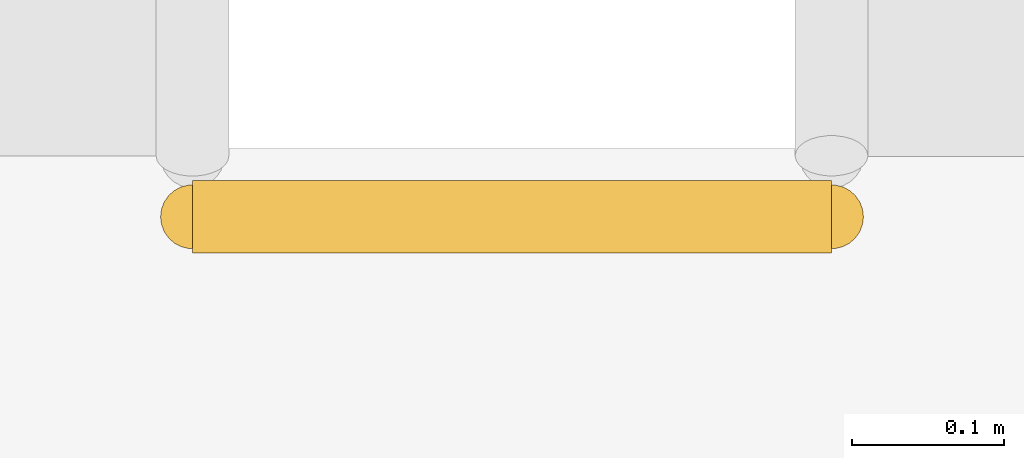
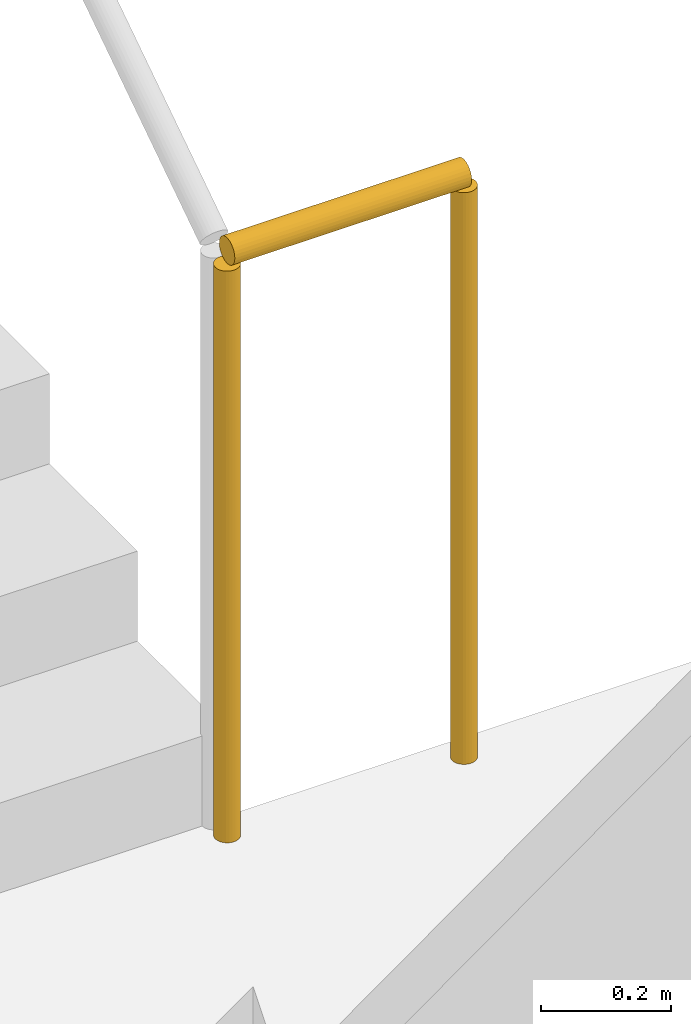
# One storey, part 82 of 85: 1 railing.
"""IFC4 building model written with IfcOpenShell, lengths in metres."""

import ifcopenshell
import ifcopenshell.guid

model = None  # the IFC model being written
_history = None  # IfcOwnerHistory: only IFC2X3 demands one
_inside = {}  # id of a spatial element -> (the spatial element, [elements in it])
_under = {}  # id of a project, library or spatial element -> (it, [spatial elements below it])
_declared = {}  # id of a project -> (the project, [libraries it declares])
_typed = {}  # id of a type object -> (the type object, [elements of that type])
_made_of = {}  # id of a material, layer set ... -> (it, [elements and type objects made of it])


def new_model(schema):
    """Start an empty IFC model of exactly this schema.

    Asked for "IFC4X3", IfcOpenShell would pick the latest addendum, in which some entities
    have other attributes; the version numbers below select the first issue.
    IFC2X3 requires an IfcOwnerHistory on every rooted entity: one is made here for all.
    """
    global model, _history
    if schema == "IFC4X3":
        model = ifcopenshell.file(schema_version=(4, 3, 0, 0))
    else:
        model = ifcopenshell.file(schema=schema)
    _inside.clear()
    _under.clear()
    _declared.clear()
    _typed.clear()
    _made_of.clear()
    _history = None
    if model.schema == "IFC2X3":
        org = make("IfcOrganization", Name="unknown")
        user = make(
            "IfcPersonAndOrganization",
            ThePerson=make("IfcPerson", FamilyName="unknown"),
            TheOrganization=org,
        )
        app = make(
            "IfcApplication",
            ApplicationDeveloper=org,
            Version="unknown",
            ApplicationFullName="unknown",
            ApplicationIdentifier="unknown",
        )
        _history = make(
            "IfcOwnerHistory",
            OwningUser=user,
            OwningApplication=app,
            ChangeAction="ADDED",
            CreationDate=0,
        )
    return model


def make(cls, **values):
    """One entity of the class cls with the attributes given. An attribute that is None is left unset."""
    return model.create_entity(
        cls, **{name: value for name, value in values.items() if value is not None}
    )


def rooted(cls, **values):
    """An entity with a GlobalId (a new one), such as an element, a storey or a relation."""
    return make(cls, GlobalId=ifcopenshell.guid.new(), OwnerHistory=_history, **values)


def si_unit(unit_type, name, prefix=None):
    """IfcSIUnit, for example si_unit("LENGTHUNIT", "METRE", prefix="MILLI")."""
    return make("IfcSIUnit", UnitType=unit_type, Prefix=prefix, Name=name)


def assignment(units):
    """IfcUnitAssignment: the units of a project."""
    return None if units is None else make("IfcUnitAssignment", Units=units)


def point(xyz):
    """IfcCartesianPoint."""
    return None if xyz is None else make("IfcCartesianPoint", Coordinates=xyz)


def direction(xyz):
    """IfcDirection."""
    return None if xyz is None else make("IfcDirection", DirectionRatios=xyz)


def frame(location, z_axis=None, x_axis=None):
    """IfcAxis2Placement3D, a coordinate frame: its origin and axes. An axis left out is left unset."""
    return make(
        "IfcAxis2Placement3D",
        Location=point(location),
        Axis=direction(z_axis),
        RefDirection=direction(x_axis),
    )


def frame_2d(location, x_axis=None):
    """IfcAxis2Placement2D, a coordinate frame in the plane: its origin and x axis."""
    return make(
        "IfcAxis2Placement2D", Location=point(location), RefDirection=direction(x_axis)
    )


def origin():
    """The frame at (0, 0, 0) with its axes left unset."""
    return frame((0.0, 0.0, 0.0))


def origin_2d():
    """The frame at (0, 0) in the plane with its x axis left unset."""
    return frame_2d((0.0, 0.0))


def place(relative_to, where):
    """IfcLocalPlacement: puts the frame where relative to a parent placement (None: the world)."""
    return make(
        "IfcLocalPlacement", PlacementRelTo=relative_to, RelativePlacement=where
    )


def context(
    kind, dimensions, precision=None, world=None, true_north=None, identifier=None
):
    """IfcGeometricRepresentationContext, for example the 3D "Model" context."""
    return make(
        "IfcGeometricRepresentationContext",
        ContextIdentifier=identifier,
        ContextType=kind,
        CoordinateSpaceDimension=dimensions,
        Precision=precision,
        WorldCoordinateSystem=world,
        TrueNorth=true_north,
    )


def subcontext(parent, identifier, kind, view, scale=None):
    """IfcGeometricRepresentationSubContext, for example "Body" below "Model"."""
    return make(
        "IfcGeometricRepresentationSubContext",
        ContextIdentifier=identifier,
        ContextType=kind,
        ParentContext=parent,
        TargetScale=scale,
        TargetView=view,
    )


def project(units=None, contexts=None):
    """IfcProject with its units and contexts."""
    return rooted(
        "IfcProject",
        Name="project",
        RepresentationContexts=contexts,
        UnitsInContext=assignment(units),
    )


def spatial(cls, under=None, at=None, **own):
    """A site, building, storey or space (cls), placed at a placement, below another one or the project."""
    s = rooted(cls, ObjectPlacement=at, **own)
    if under is not None:
        _under.setdefault(under.id(), (under, []))[1].append(s)
    return s


def profile(cls, at=None, kind="AREA", **sizes):
    """A parametric profile (cls). Its sizes go by their IFC names, for example OverallWidth=200.0."""
    return make(cls, ProfileType=kind, Position=at, **sizes)


def circle(**sizes):
    """IfcCircleProfileDef."""
    return profile("IfcCircleProfileDef", **sizes)


def extrude(swept, where, along, depth):
    """IfcExtrudedAreaSolid: the profile swept, set in the frame where, extruded along a direction by depth."""
    return make(
        "IfcExtrudedAreaSolid",
        SweptArea=swept,
        Position=where,
        ExtrudedDirection=direction(along),
        Depth=depth,
    )


def shape(context_of_items, identifier, shape_type, items):
    """IfcShapeRepresentation: the items that make up one representation, for example the "Body"."""
    return make(
        "IfcShapeRepresentation",
        ContextOfItems=context_of_items,
        RepresentationIdentifier=identifier,
        RepresentationType=shape_type,
        Items=items,
    )


def material(Name=None, Category=None):
    """IfcMaterial."""
    return make("IfcMaterial", Name=Name, Category=Category)


def made_of(thing, what):
    """Note that an element or type object is made of a material, layer set ...; save() writes the relation."""
    if what is not None:
        _made_of.setdefault(what.id(), (what, []))[1].append(thing)
    return thing


def type_object(cls, material=None, **own):
    """A type object (cls), such as IfcWallType, which elements share."""
    return made_of(rooted(cls, **own), material)


def element(
    cls,
    number,
    at=None,
    inside=None,
    cuts=None,
    type_object=None,
    material=None,
    context=None,
    identifier="Body",
    shape_type=None,
    held_by="IfcProductDefinitionShape",
    body=None,
    shapes=None,
    **own,
):
    """One element of the class cls, such as IfcWall. Its Tag is "e" and its number.

    at: its placement. inside: the storey or other place that contains it. cuts: it is an
    opening in that element (IfcRelVoidsElement). A single representation is given by context,
    identifier, shape_type and body (its items); several are given by shapes. held_by: the class
    of the entity that holds the representations. save() writes the other relations.
    """
    e = rooted(cls, Tag="e%d" % number, ObjectPlacement=at, **own)
    if body is not None:
        shapes = [shape(context, identifier, shape_type, body)]
    if shapes is not None:
        e.Representation = make(held_by, Representations=shapes)
    if inside is not None:
        _inside.setdefault(inside.id(), (inside, []))[1].append(e)
    if cuts is not None:
        rooted(
            "IfcRelVoidsElement", RelatingBuildingElement=cuts, RelatedOpeningElement=e
        )
    if type_object is not None:
        _typed.setdefault(type_object.id(), (type_object, []))[1].append(e)
    return made_of(e, material)


def aggregate(whole, parts):
    """IfcRelAggregates: a whole, such as a stair, and the parts it consists of."""
    return rooted("IfcRelAggregates", RelatingObject=whole, RelatedObjects=parts)


def save(model, path):
    """Write the relations noted so far, then the file.

    IfcRelAggregates (storeys below a building ...), IfcRelContainedInSpatialStructure (elements
    in a storey), IfcRelDefinesByType, IfcRelAssociatesMaterial and IfcRelDeclares: one each for
    every whole, place, type object, material and project.
    """
    for whole, parts in _under.values():
        aggregate(whole, parts)
    for where, things in _inside.values():
        rooted(
            "IfcRelContainedInSpatialStructure",
            RelatedElements=things,
            RelatingStructure=where,
        )
    for kind, things in _typed.values():
        rooted("IfcRelDefinesByType", RelatedObjects=things, RelatingType=kind)
    for what, things in _made_of.values():
        rooted("IfcRelAssociatesMaterial", RelatedObjects=things, RelatingMaterial=what)
    for by, libraries in _declared.values():
        rooted("IfcRelDeclares", RelatingContext=by, RelatedDefinitions=libraries)
    model.write(path)


model = new_model("IFC4")

# Units and contexts
model_context = context("Model", 3, precision=1e-05, world=origin(), true_north=direction((0.0, 1.0)))
body_context = subcontext(model_context, "Body", "Model", "MODEL_VIEW")
ifc_project = project(units=[si_unit("LENGTHUNIT", "METRE"), si_unit("AREAUNIT", "SQUARE_METRE"), si_unit("VOLUMEUNIT", "CUBIC_METRE"), si_unit("PLANEANGLEUNIT", "RADIAN"), si_unit("MASSUNIT", "GRAM", prefix="KILO")], contexts=[model_context])

# Site, building, storey
site_placement = place(None, origin())
site = spatial("IfcSite", under=ifc_project, at=site_placement, CompositionType="ELEMENT")
building_placement = place(site_placement, origin())
building = spatial("IfcBuilding", under=site, at=building_placement, Name="Zarnetskaya Central Station", CompositionType="ELEMENT")
storey_placement = place(building_placement, origin())
storey = spatial("IfcBuildingStorey", under=building, at=storey_placement, Name="L00", CompositionType="ELEMENT", Elevation=0.0)

# Railing
ifc_material = material(Name="Steel S355", Category="steel")
railing_type = type_object("IfcRailingType", Name="RAIL-STAIR-GRD", PredefinedType="BALUSTRADE", material=ifc_material)
railing_placement = place(storey_placement, frame((89.93994140625, 117.06005859375, 0.0)))
element("IfcRailing", 1, at=railing_placement, inside=storey, type_object=railing_type, Name="Stair ST-B1 L00 floor well guard", PredefinedType="BALUSTRADE", context=body_context, shape_type="SweptSolid", body=[
    extrude(circle(Radius=0.02392578125, at=origin_2d()), frame((0.0, 0.0, 1.09619140625), z_axis=(1.0, 0.0, 0.0), x_axis=(0.0, 1.0, 0.0)), (0.0, 0.0, 1.0), 0.420166015625),
    extrude(circle(Radius=0.02099609375, at=origin_2d()), origin(), (0.0, 0.0, 1.0), 1.072021484375),
    extrude(circle(Radius=0.02099609375, at=origin_2d()), frame((0.420166015625, 0.0, 0.0)), (0.0, 0.0, 1.0), 1.072021484375),
])

save(model, "model.ifc")
